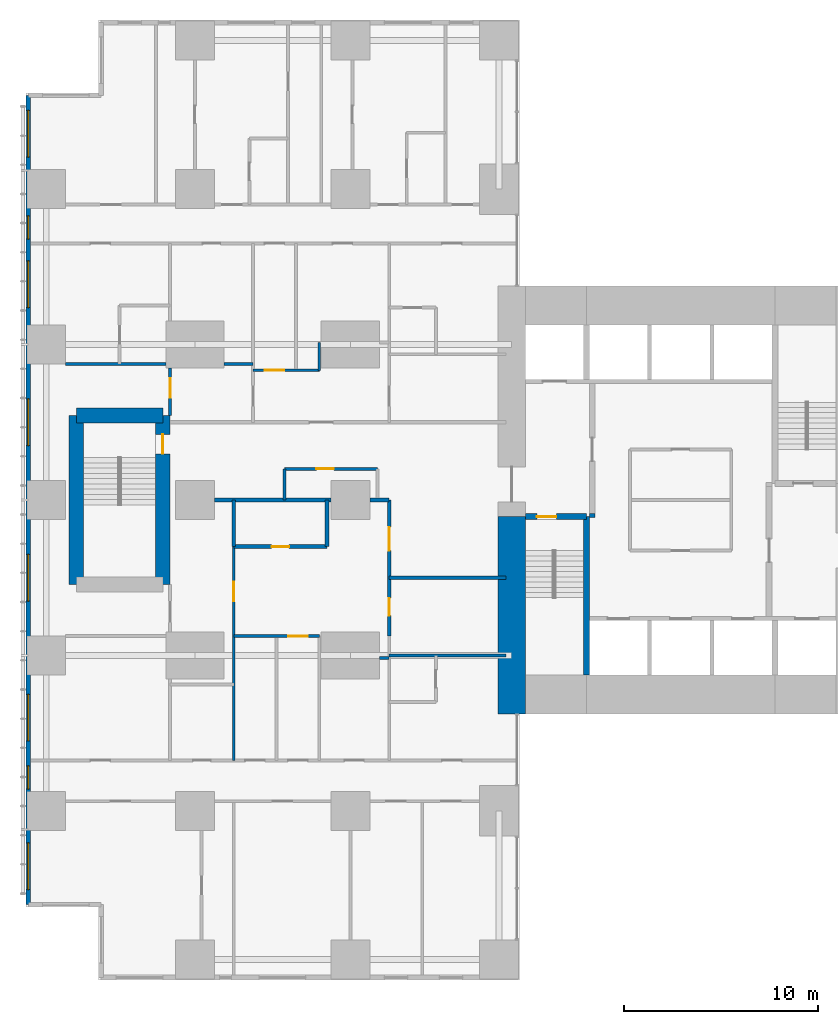
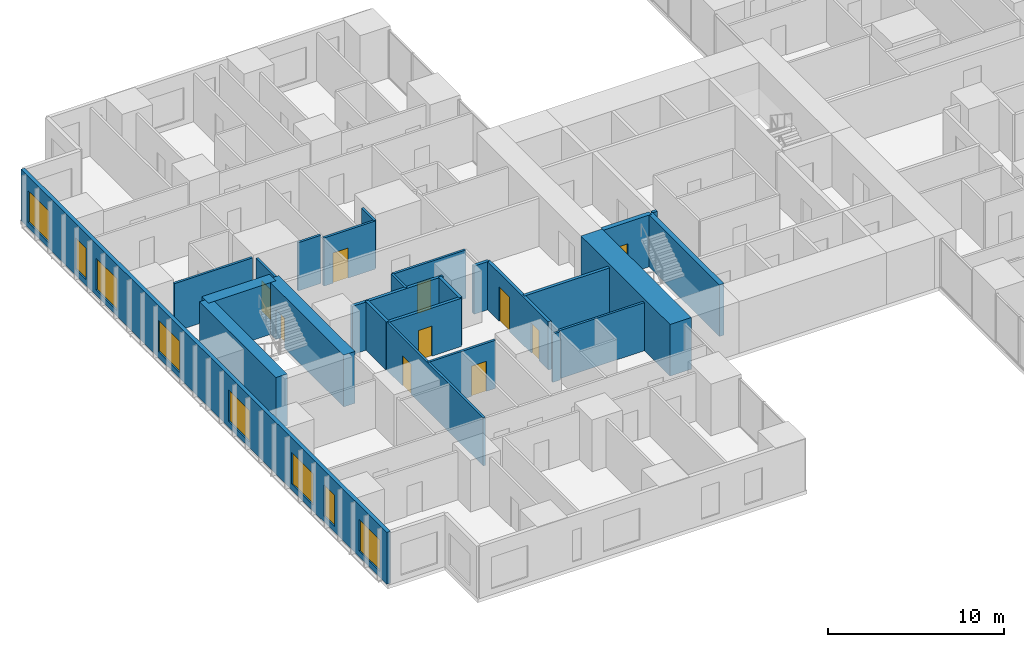
# One storey, part 13 of 21: 26 walls, 10 doors, 8 windows, 18 openings.
"""IFC4 building model written with IfcOpenShell, lengths in metres."""

from ifc_helpers import new_model, si_unit, direction, frame, frame_2d, origin, place, context, subcontext, project, spatial, rectangle, extrude, material, layer, layer_set, type_object, element, fill, save


model = new_model("IFC4")

# Units and contexts
model_context = context("Model", 3, precision=1e-05, world=origin(), true_north=direction((0.0, 1.0)))
body_context = subcontext(model_context, "Body", "Model", "MODEL_VIEW")
ifc_project = project(units=[si_unit("LENGTHUNIT", "METRE"), si_unit("AREAUNIT", "SQUARE_METRE"), si_unit("VOLUMEUNIT", "CUBIC_METRE"), si_unit("PLANEANGLEUNIT", "RADIAN"), si_unit("MASSUNIT", "GRAM", prefix="KILO")], contexts=[model_context])

# Site, building, storey
site_placement = place(None, origin())
site = spatial("IfcSite", under=ifc_project, at=site_placement, CompositionType="ELEMENT")
building_placement = place(site_placement, origin())
building = spatial("IfcBuilding", under=site, at=building_placement, Name="Cleftline Residences", CompositionType="ELEMENT")
storey_placement = place(building_placement, frame((0.0, 0.0, 128.60009765625)))
storey = spatial("IfcBuildingStorey", under=building, at=storey_placement, Name="L33", CompositionType="ELEMENT", Elevation=128.60009765625)

# Walls
ifc_material_1 = material(Name="Concrete B70", Category="concrete")
ifc_layer_1 = layer(ifc_material_1, 1.39990234375)
ifc_layer_set_1 = layer_set([ifc_layer_1], Name="CORE WALL 1400")
wall_type_1 = type_object("IfcWallType", Name="CORE WALL 1400", PredefinedType="SHEAR", material=ifc_layer_set_1)
wall_1_placement = place(storey_placement, frame((24.300048828125, 13.0, 0.0), z_axis=(0.0, 0.0, 1.0), x_axis=(0.0, 1.0, 0.0)))
element("IfcWall", 1, at=wall_1_placement, inside=storey, type_object=wall_type_1, Name="Core wall W0", PredefinedType="SHEAR", context=body_context, shape_type="SweptSolid", body=[
    extrude(rectangle(XDim=10.14990234375, YDim=1.39990234375, at=frame_2d((5.074951171875, 0.0))), origin(), (0.0, 0.0, 1.0), 3.599853515625),
])
ifc_material_2 = material(Name="Concrete B70", Category="concrete")
ifc_layer_2 = layer(ifc_material_2, 0.300048828125)
ifc_layer_set_2 = layer_set([ifc_layer_2], Name="CORE WALL 300")
wall_type_2 = type_object("IfcWallType", Name="CORE WALL 300", PredefinedType="SHEAR", material=ifc_layer_set_2)
wall_2_placement = place(storey_placement, frame((28.14990234375, 15.0, 0.0), z_axis=(0.0, 0.0, 1.0), x_axis=(0.0, 1.0, 0.0)))
element("IfcWall", 2, at=wall_2_placement, inside=storey, type_object=wall_type_2, Name="Core wall SA-E", PredefinedType="SHEAR", context=body_context, shape_type="SweptSolid", body=[
    extrude(rectangle(XDim=8.14990234375, YDim=0.300048828125, at=frame_2d((4.074951171875, 0.0))), origin(), (0.0, 0.0, 1.0), 3.599853515625),
])

# Wall, opening, door
wall_3_placement = place(storey_placement, frame((25.0, 23.14990234375, 0.0), z_axis=(0.0, 0.0, 1.0), x_axis=(1.0, 0.0, 0.0)))
wall_3 = element("IfcWall", 3, at=wall_3_placement, inside=storey, type_object=wall_type_2, Name="Core wall SA-N", PredefinedType="SHEAR", context=body_context, shape_type="SweptSolid", body=[
    extrude(rectangle(XDim=3.14990234375, YDim=0.300048828125, at=frame_2d((1.574951171875, 0.0))), origin(), (0.0, 0.0, 1.0), 3.599853515625),
])
opening_1_placement = place(wall_3_placement, frame((0.60009765625, 0.0, 0.0)))
opening_1 = element("IfcOpeningElement", 4, at=opening_1_placement, cuts=wall_3, Name="Opening D5", PredefinedType="OPENING", context=body_context, shape_type="SweptSolid", body=[
    extrude(rectangle(XDim=1.0, YDim=2.10009765625, at=frame_2d((0.5, 1.050048828125))), frame((0.0, 0.159912109375, 0.0), z_axis=(0.0, -1.0, 0.0), x_axis=(1.0, 0.0, 0.0)), (0.0, 0.0, 1.0), 0.320068359375),
])
ifc_material_3 = material(Name="Steel", Category="steel")
door_type_1 = type_object("IfcDoorType", Name="STAIR DOOR 1000X2100", OperationType="SINGLE_SWING_LEFT", PredefinedType="DOOR", material=ifc_material_3)
door_1_placement = place(opening_1_placement, origin())
door_1 = element("IfcDoor", 5, at=door_1_placement, inside=storey, type_object=door_type_1, Name="Stair A door", OperationType="SINGLE_SWING_RIGHT", OverallHeight=2.10009765625, OverallWidth=1.0, PredefinedType="DOOR", context=body_context, shape_type="SweptSolid", body=[
    extrude(rectangle(XDim=1.0, YDim=2.10009765625, at=frame_2d((0.5, 1.050048828125))), frame((0.0, 0.02490234375, 0.0), z_axis=(0.0, -1.0, 0.0), x_axis=(1.0, 0.0, 0.0)), (0.0, 0.0, 1.0), 0.050048828125),
])
fill(opening_1, door_1)

# Wall, openings, windows
ifc_material_4 = material(Name="Rendered reinforced concrete blockwork", Category="masonry")
ifc_layer_3 = layer(ifc_material_4, 0.25)
ifc_layer_set_3 = layer_set([ifc_layer_3], Name="EXTERNAL WALL 250")
wall_type_3 = type_object("IfcWallType", Name="EXTERNAL WALL 250", PredefinedType="SOLIDWALL", material=ifc_layer_set_3)
wall_4_placement = place(storey_placement, frame((-0.574951171875, 44.824951171875, 0.0), z_axis=(0.0, 0.0, 1.0), x_axis=(0.0, -1.0, 0.0)))
wall_4 = element("IfcWall", 6, at=wall_4_placement, inside=storey, type_object=wall_type_3, Name="External wall", PredefinedType="SOLIDWALL", context=body_context, shape_type="SweptSolid", body=[
    extrude(rectangle(XDim=41.64990234375, YDim=0.25, at=frame_2d((20.824951171875, 0.0))), origin(), (0.0, 0.0, 1.0), 3.599853515625),
])
opening_2_placement = place(wall_4_placement, frame((0.77490234375, 0.0, 0.39990234375)))
opening_2 = element("IfcOpeningElement", 7, at=opening_2_placement, cuts=wall_4, Name="Opening W12", PredefinedType="OPENING", context=body_context, shape_type="SweptSolid", body=[
    extrude(rectangle(XDim=2.39990234375, YDim=2.199951171875, at=frame_2d((1.199951171875, 1.10009765625))), frame((0.0, 0.135009765625, 0.0), z_axis=(0.0, -1.0, 0.0), x_axis=(1.0, 0.0, 0.0)), (0.0, 0.0, 1.0), 0.27001953125),
])
opening_3_placement = place(wall_4_placement, frame((6.199951171875, 0.0, 0.39990234375)))
opening_3 = element("IfcOpeningElement", 8, at=opening_3_placement, cuts=wall_4, Name="Opening W11", PredefinedType="OPENING", context=body_context, shape_type="SweptSolid", body=[
    extrude(rectangle(XDim=1.199951171875, YDim=2.199951171875, at=frame_2d((0.60009765625, 1.10009765625))), frame((0.0, 0.135009765625, 0.0), z_axis=(0.0, -1.0, 0.0), x_axis=(1.0, 0.0, 0.0)), (0.0, 0.0, 1.0), 0.27001953125),
])
opening_4_placement = place(wall_4_placement, frame((8.52490234375, 0.0, 0.39990234375)))
opening_4 = element("IfcOpeningElement", 9, at=opening_4_placement, cuts=wall_4, Name="Opening W12", PredefinedType="OPENING", context=body_context, shape_type="SweptSolid", body=[
    extrude(rectangle(XDim=2.39990234375, YDim=2.199951171875, at=frame_2d((1.199951171875, 1.10009765625))), frame((0.0, 0.135009765625, 0.0), z_axis=(0.0, -1.0, 0.0), x_axis=(1.0, 0.0, 0.0)), (0.0, 0.0, 1.0), 0.27001953125),
])
opening_5_placement = place(wall_4_placement, frame((15.625, 0.0, 0.39990234375)))
opening_5 = element("IfcOpeningElement", 10, at=opening_5_placement, cuts=wall_4, Name="Opening W12", PredefinedType="OPENING", context=body_context, shape_type="SweptSolid", body=[
    extrude(rectangle(XDim=2.39990234375, YDim=2.199951171875, at=frame_2d((1.199951171875, 1.10009765625))), frame((0.0, 0.135009765625, 0.0), z_axis=(0.0, -1.0, 0.0), x_axis=(1.0, 0.0, 0.0)), (0.0, 0.0, 1.0), 0.27001953125),
])
opening_6_placement = place(wall_4_placement, frame((23.625, 0.0, 0.39990234375)))
opening_6 = element("IfcOpeningElement", 11, at=opening_6_placement, cuts=wall_4, Name="Opening W12", PredefinedType="OPENING", context=body_context, shape_type="SweptSolid", body=[
    extrude(rectangle(XDim=2.39990234375, YDim=2.199951171875, at=frame_2d((1.199951171875, 1.10009765625))), frame((0.0, 0.135009765625, 0.0), z_axis=(0.0, -1.0, 0.0), x_axis=(1.0, 0.0, 0.0)), (0.0, 0.0, 1.0), 0.27001953125),
])
opening_7_placement = place(wall_4_placement, frame((30.824951171875, 0.0, 0.39990234375)))
opening_7 = element("IfcOpeningElement", 12, at=opening_7_placement, cuts=wall_4, Name="Opening W12", PredefinedType="OPENING", context=body_context, shape_type="SweptSolid", body=[
    extrude(rectangle(XDim=2.39990234375, YDim=2.199951171875, at=frame_2d((1.199951171875, 1.10009765625))), frame((0.0, 0.135009765625, 0.0), z_axis=(0.0, -1.0, 0.0), x_axis=(1.0, 0.0, 0.0)), (0.0, 0.0, 1.0), 0.27001953125),
])
opening_8_placement = place(wall_4_placement, frame((34.5, 0.0, 0.39990234375)))
opening_8 = element("IfcOpeningElement", 13, at=opening_8_placement, cuts=wall_4, Name="Opening W11", PredefinedType="OPENING", context=body_context, shape_type="SweptSolid", body=[
    extrude(rectangle(XDim=1.199951171875, YDim=2.199951171875, at=frame_2d((0.60009765625, 1.10009765625))), frame((0.0, 0.135009765625, 0.0), z_axis=(0.0, -1.0, 0.0), x_axis=(1.0, 0.0, 0.0)), (0.0, 0.0, 1.0), 0.27001953125),
])
opening_9_placement = place(wall_4_placement, frame((38.47509765625, 0.0, 0.39990234375)))
opening_9 = element("IfcOpeningElement", 14, at=opening_9_placement, cuts=wall_4, Name="Opening W12", PredefinedType="OPENING", context=body_context, shape_type="SweptSolid", body=[
    extrude(rectangle(XDim=2.39990234375, YDim=2.199951171875, at=frame_2d((1.199951171875, 1.10009765625))), frame((0.0, 0.135009765625, 0.0), z_axis=(0.0, -1.0, 0.0), x_axis=(1.0, 0.0, 0.0)), (0.0, 0.0, 1.0), 0.27001953125),
])
ifc_material_5 = material(Name="Aluminium frame, clear double glazing", Category="aluminium")
window_type_1 = type_object("IfcWindowType", Name="WINDOW 1200X2200", PartitioningType="DOUBLE_PANEL_VERTICAL", PredefinedType="WINDOW", material=ifc_material_5)
window_1_placement = place(opening_3_placement, origin())
window_1 = element("IfcWindow", 15, at=window_1_placement, inside=storey, type_object=window_type_1, Name="Window", OverallHeight=2.199951171875, OverallWidth=1.199951171875, PartitioningType="SINGLE_PANEL", PredefinedType="WINDOW", context=body_context, shape_type="SweptSolid", body=[
    extrude(rectangle(XDim=1.199951171875, YDim=2.199951171875, at=frame_2d((0.60009765625, 1.10009765625))), frame((0.0, 0.030029296875, 0.0), z_axis=(0.0, -1.0, 0.0), x_axis=(1.0, 0.0, 0.0)), (0.0, 0.0, 1.0), 0.06005859375),
])
fill(opening_3, window_1)
window_2_placement = place(opening_8_placement, origin())
window_2 = element("IfcWindow", 16, at=window_2_placement, inside=storey, type_object=window_type_1, Name="Window", OverallHeight=2.199951171875, OverallWidth=1.199951171875, PartitioningType="SINGLE_PANEL", PredefinedType="WINDOW", context=body_context, shape_type="SweptSolid", body=[
    extrude(rectangle(XDim=1.199951171875, YDim=2.199951171875, at=frame_2d((0.60009765625, 1.10009765625))), frame((0.0, 0.030029296875, 0.0), z_axis=(0.0, -1.0, 0.0), x_axis=(1.0, 0.0, 0.0)), (0.0, 0.0, 1.0), 0.06005859375),
])
fill(opening_8, window_2)
ifc_material_6 = material(Name="Aluminium frame, clear double glazing", Category="aluminium")
window_type_2 = type_object("IfcWindowType", Name="WINDOW 2400X2200", PartitioningType="DOUBLE_PANEL_VERTICAL", PredefinedType="WINDOW", material=ifc_material_6)
window_3_placement = place(opening_2_placement, origin())
window_3 = element("IfcWindow", 17, at=window_3_placement, inside=storey, type_object=window_type_2, Name="Window", OverallHeight=2.199951171875, OverallWidth=2.39990234375, PartitioningType="SINGLE_PANEL", PredefinedType="WINDOW", context=body_context, shape_type="SweptSolid", body=[
    extrude(rectangle(XDim=2.39990234375, YDim=2.199951171875, at=frame_2d((1.199951171875, 1.10009765625))), frame((0.0, 0.030029296875, 0.0), z_axis=(0.0, -1.0, 0.0), x_axis=(1.0, 0.0, 0.0)), (0.0, 0.0, 1.0), 0.06005859375),
])
fill(opening_2, window_3)
window_4_placement = place(opening_4_placement, origin())
window_4 = element("IfcWindow", 18, at=window_4_placement, inside=storey, type_object=window_type_2, Name="Window", OverallHeight=2.199951171875, OverallWidth=2.39990234375, PartitioningType="SINGLE_PANEL", PredefinedType="WINDOW", context=body_context, shape_type="SweptSolid", body=[
    extrude(rectangle(XDim=2.39990234375, YDim=2.199951171875, at=frame_2d((1.199951171875, 1.10009765625))), frame((0.0, 0.030029296875, 0.0), z_axis=(0.0, -1.0, 0.0), x_axis=(1.0, 0.0, 0.0)), (0.0, 0.0, 1.0), 0.06005859375),
])
fill(opening_4, window_4)
window_5_placement = place(opening_5_placement, origin())
window_5 = element("IfcWindow", 19, at=window_5_placement, inside=storey, type_object=window_type_2, Name="Window", OverallHeight=2.199951171875, OverallWidth=2.39990234375, PartitioningType="SINGLE_PANEL", PredefinedType="WINDOW", context=body_context, shape_type="SweptSolid", body=[
    extrude(rectangle(XDim=2.39990234375, YDim=2.199951171875, at=frame_2d((1.199951171875, 1.10009765625))), frame((0.0, 0.030029296875, 0.0), z_axis=(0.0, -1.0, 0.0), x_axis=(1.0, 0.0, 0.0)), (0.0, 0.0, 1.0), 0.06005859375),
])
fill(opening_5, window_5)
window_6_placement = place(opening_6_placement, origin())
window_6 = element("IfcWindow", 20, at=window_6_placement, inside=storey, type_object=window_type_2, Name="Window", OverallHeight=2.199951171875, OverallWidth=2.39990234375, PartitioningType="SINGLE_PANEL", PredefinedType="WINDOW", context=body_context, shape_type="SweptSolid", body=[
    extrude(rectangle(XDim=2.39990234375, YDim=2.199951171875, at=frame_2d((1.199951171875, 1.10009765625))), frame((0.0, 0.030029296875, 0.0), z_axis=(0.0, -1.0, 0.0), x_axis=(1.0, 0.0, 0.0)), (0.0, 0.0, 1.0), 0.06005859375),
])
fill(opening_6, window_6)
window_7_placement = place(opening_7_placement, origin())
window_7 = element("IfcWindow", 21, at=window_7_placement, inside=storey, type_object=window_type_2, Name="Window", OverallHeight=2.199951171875, OverallWidth=2.39990234375, PartitioningType="SINGLE_PANEL", PredefinedType="WINDOW", context=body_context, shape_type="SweptSolid", body=[
    extrude(rectangle(XDim=2.39990234375, YDim=2.199951171875, at=frame_2d((1.199951171875, 1.10009765625))), frame((0.0, 0.030029296875, 0.0), z_axis=(0.0, -1.0, 0.0), x_axis=(1.0, 0.0, 0.0)), (0.0, 0.0, 1.0), 0.06005859375),
])
fill(opening_7, window_7)
window_8_placement = place(opening_9_placement, origin())
window_8 = element("IfcWindow", 22, at=window_8_placement, inside=storey, type_object=window_type_2, Name="Window", OverallHeight=2.199951171875, OverallWidth=2.39990234375, PartitioningType="SINGLE_PANEL", PredefinedType="WINDOW", context=body_context, shape_type="SweptSolid", body=[
    extrude(rectangle(XDim=2.39990234375, YDim=2.199951171875, at=frame_2d((1.199951171875, 1.10009765625))), frame((0.0, 0.030029296875, 0.0), z_axis=(0.0, -1.0, 0.0), x_axis=(1.0, 0.0, 0.0)), (0.0, 0.0, 1.0), 0.06005859375),
])
fill(opening_9, window_8)

# Wall
ifc_material_7 = material(Name="Concrete blockwork, fire rated", Category="masonry")
ifc_layer_4 = layer(ifc_material_7, 0.199951171875)
ifc_layer_set_4 = layer_set([ifc_layer_4], Name="FIRE WALL 200")
wall_type_4 = type_object("IfcWallType", Name="FIRE WALL 200", PredefinedType="PARTITIONING", material=ifc_layer_set_4)
wall_5_placement = place(storey_placement, frame((18.0, 20.0, 0.0), z_axis=(0.0, 0.0, 1.0), x_axis=(1.0, 0.0, 0.0)))
element("IfcWall", 23, at=wall_5_placement, inside=storey, type_object=wall_type_4, Name="Fire separating wall", PredefinedType="PARTITIONING", context=body_context, shape_type="SweptSolid", body=[
    extrude(rectangle(XDim=6.0, YDim=0.199951171875, at=frame_2d((3.0, 0.0))), origin(), (0.0, 0.0, 1.0), 3.349853515625),
])

# Wall, opening, door
wall_6_placement = place(storey_placement, frame((10.0, 21.60009765625, 0.0), z_axis=(0.0, 0.0, 1.0), x_axis=(1.0, 0.0, 0.0)))
wall_6 = element("IfcWall", 24, at=wall_6_placement, inside=storey, type_object=wall_type_4, Name="Fire separating wall", PredefinedType="PARTITIONING", context=body_context, shape_type="SweptSolid", body=[
    extrude(rectangle(XDim=4.800048828125, YDim=0.199951171875, at=frame_2d((2.39990234375, 0.0))), origin(), (0.0, 0.0, 1.0), 3.349853515625),
])
opening_10_placement = place(wall_6_placement, frame((1.949951171875, 0.0, 0.0)))
opening_10 = element("IfcOpeningElement", 25, at=opening_10_placement, cuts=wall_6, Name="Opening D1F30", PredefinedType="OPENING", context=body_context, shape_type="SweptSolid", body=[
    extrude(rectangle(XDim=0.89990234375, YDim=2.10009765625, at=frame_2d((0.449951171875, 1.050048828125))), frame((0.0, 0.10986328125, 0.0), z_axis=(0.0, -1.0, 0.0), x_axis=(1.0, 0.0, 0.0)), (0.0, 0.0, 1.0), 0.219970703125),
])
ifc_material_8 = material(Name="Timber veneer on solid core", Category="wood")
door_type_2 = type_object("IfcDoorType", Name="DOOR 900X2100 EI 30", OperationType="SINGLE_SWING_LEFT", PredefinedType="DOOR", material=ifc_material_8)
door_2_placement = place(opening_10_placement, origin())
door_2 = element("IfcDoor", 26, at=door_2_placement, inside=storey, type_object=door_type_2, Name="Door to cloakroom wc", OperationType="SINGLE_SWING_LEFT", OverallHeight=2.10009765625, OverallWidth=0.89990234375, PredefinedType="DOOR", context=body_context, shape_type="SweptSolid", body=[
    extrude(rectangle(XDim=0.89990234375, YDim=2.10009765625, at=frame_2d((0.449951171875, 1.050048828125))), frame((0.0, 0.02490234375, 0.0), z_axis=(0.0, -1.0, 0.0), x_axis=(1.0, 0.0, 0.0)), (0.0, 0.0, 1.0), 0.050048828125),
])
fill(opening_10, door_2)

# Walls
wall_7_placement = place(storey_placement, frame((9.0, 24.0, 0.0), z_axis=(0.0, 0.0, 1.0), x_axis=(1.0, 0.0, 0.0)))
element("IfcWall", 27, at=wall_7_placement, inside=storey, type_object=wall_type_4, Name="Fire separating wall", PredefinedType="PARTITIONING", context=body_context, shape_type="SweptSolid", body=[
    extrude(rectangle(XDim=6.0, YDim=0.199951171875, at=frame_2d((3.0, 0.0))), origin(), (0.0, 0.0, 1.0), 3.349853515625),
])
wall_8_placement = place(storey_placement, frame((17.0, 24.0, 0.0), z_axis=(0.0, 0.0, 1.0), x_axis=(1.0, 0.0, 0.0)))
element("IfcWall", 28, at=wall_8_placement, inside=storey, type_object=wall_type_4, Name="Fire separating wall", PredefinedType="PARTITIONING", context=body_context, shape_type="SweptSolid", body=[
    extrude(rectangle(XDim=1.0, YDim=0.199951171875, at=frame_2d((0.5, 0.0))), origin(), (0.0, 0.0, 1.0), 3.349853515625),
])
for number, where, z_axis, x_axis, name in (
    (29, (10.0, 21.60009765625, 0.0), (0.0, 0.0, 1.0), (0.0, 1.0, 0.0), "Fire separating wall"),
    (30, (14.800048828125, 21.60009765625, 0.0), (0.0, 0.0, 1.0), (0.0, 1.0, 0.0), "Fire separating wall"),
):
    element("IfcWall", number, at=place(storey_placement, frame(where, z_axis=z_axis, x_axis=x_axis)), inside=storey, type_object=wall_type_4, Name=name, PredefinedType="PARTITIONING", context=body_context, shape_type="SweptSolid", body=[
        extrude(rectangle(XDim=2.39990234375, YDim=0.199951171875, at=frame_2d((1.199951171875, 0.0))), origin(), (0.0, 0.0, 1.0), 3.349853515625),
    ])

# Wall, openings, doors
wall_9_placement = place(storey_placement, frame((18.0, 17.0, 0.0), z_axis=(0.0, 0.0, 1.0), x_axis=(0.0, 1.0, 0.0)))
wall_9 = element("IfcWall", 31, at=wall_9_placement, inside=storey, type_object=wall_type_4, Name="Fire separating wall", PredefinedType="PARTITIONING", context=body_context, shape_type="SweptSolid", body=[
    extrude(rectangle(XDim=7.0, YDim=0.199951171875, at=frame_2d((3.5, 0.0))), origin(), (0.0, 0.0, 1.0), 3.349853515625),
])
opening_11_placement = place(wall_9_placement, frame((4.39990234375, 0.0, 0.0)))
opening_11 = element("IfcOpeningElement", 32, at=opening_11_placement, cuts=wall_9, Name="Opening D4", PredefinedType="OPENING", context=body_context, shape_type="SweptSolid", body=[
    extrude(rectangle(XDim=1.199951171875, YDim=2.39990234375, at=frame_2d((0.60009765625, 1.199951171875))), frame((0.0, 0.10986328125, 0.0), z_axis=(0.0, -1.0, 0.0), x_axis=(1.0, 0.0, 0.0)), (0.0, 0.0, 1.0), 0.219970703125),
])
opening_12_placement = place(wall_9_placement, frame((1.050048828125, 0.0, 0.0)))
opening_12 = element("IfcOpeningElement", 33, at=opening_12_placement, cuts=wall_9, Name="Opening D1F30", PredefinedType="OPENING", context=body_context, shape_type="SweptSolid", body=[
    extrude(rectangle(XDim=0.89990234375, YDim=2.10009765625, at=frame_2d((0.449951171875, 1.050048828125))), frame((0.0, 0.10986328125, 0.0), z_axis=(0.0, -1.0, 0.0), x_axis=(1.0, 0.0, 0.0)), (0.0, 0.0, 1.0), 0.219970703125),
])
ifc_material_9 = material(Name="Timber veneer on solid core", Category="wood")
door_type_3 = type_object("IfcDoorType", Name="APARTMENT ENTRANCE DOOR 1200X2400", OperationType="SINGLE_SWING_RIGHT", PredefinedType="DOOR", material=ifc_material_9)
door_3_placement = place(opening_11_placement, origin())
door_3 = element("IfcDoor", 34, at=door_3_placement, inside=storey, type_object=door_type_3, Name="Door to residence entrance foyer", OperationType="SINGLE_SWING_LEFT", OverallHeight=2.39990234375, OverallWidth=1.199951171875, PredefinedType="DOOR", context=body_context, shape_type="SweptSolid", body=[
    extrude(rectangle(XDim=1.199951171875, YDim=2.39990234375, at=frame_2d((0.60009765625, 1.199951171875))), frame((0.0, 0.02490234375, 0.0), z_axis=(0.0, -1.0, 0.0), x_axis=(1.0, 0.0, 0.0)), (0.0, 0.0, 1.0), 0.050048828125),
])
fill(opening_11, door_3)
door_4_placement = place(opening_12_placement, origin())
door_4 = element("IfcDoor", 35, at=door_4_placement, inside=storey, type_object=door_type_2, Name="Door to laundry", OperationType="SINGLE_SWING_RIGHT", OverallHeight=2.10009765625, OverallWidth=0.89990234375, PredefinedType="DOOR", context=body_context, shape_type="SweptSolid", body=[
    extrude(rectangle(XDim=0.89990234375, YDim=2.10009765625, at=frame_2d((0.449951171875, 1.050048828125))), frame((0.0, 0.02490234375, 0.0), z_axis=(0.0, -1.0, 0.0), x_axis=(1.0, 0.0, 0.0)), (0.0, 0.0, 1.0), 0.050048828125),
])
fill(opening_12, door_4)

# Walls
wall_10_placement = place(storey_placement, frame((28.300048828125, 23.199951171875, 0.0), z_axis=(0.0, 0.0, 1.0), x_axis=(1.0, 0.0, 0.0)))
element("IfcWall", 36, at=wall_10_placement, inside=storey, type_object=wall_type_4, Name="Fire separating wall", PredefinedType="PARTITIONING", context=body_context, shape_type="SweptSolid", body=[
    extrude(rectangle(XDim=0.300048828125, YDim=0.199951171875, at=frame_2d((0.14990234375, 0.0))), origin(), (0.0, 0.0, 1.0), 3.599853515625),
])
ifc_material_10 = material(Name="Gypsum board on steel studs", Category="steel")
ifc_layer_5 = layer(ifc_material_10, 0.14990234375)
ifc_layer_set_5 = layer_set([ifc_layer_5], Name="PARTITION 150")
wall_type_5 = type_object("IfcWallType", Name="PARTITION 150", PredefinedType="PARTITIONING", material=ifc_layer_set_5)
wall_11_placement = place(storey_placement, frame((17.5, 15.875, 0.0), z_axis=(0.0, 0.0, 1.0), x_axis=(1.0, 0.0, 0.0)))
element("IfcWall", 37, at=wall_11_placement, inside=storey, type_object=wall_type_5, Name="Partition", PredefinedType="PARTITIONING", context=body_context, shape_type="SweptSolid", body=[
    extrude(rectangle(XDim=0.5, YDim=0.14990234375, at=frame_2d((0.25, 0.0))), origin(), (0.0, 0.0, 1.0), 3.349853515625),
])
wall_12_placement = place(storey_placement, frame((18.0, 16.0, 0.0), z_axis=(0.0, 0.0, 1.0), x_axis=(1.0, 0.0, 0.0)))
element("IfcWall", 38, at=wall_12_placement, inside=storey, type_object=wall_type_5, Name="Partition", PredefinedType="PARTITIONING", context=body_context, shape_type="SweptSolid", body=[
    extrude(rectangle(XDim=6.0, YDim=0.14990234375, at=frame_2d((3.0, 0.0))), origin(), (0.0, 0.0, 1.0), 3.349853515625),
])

# Wall, opening, door
wall_13_placement = place(storey_placement, frame((10.0, 17.0, 0.0), z_axis=(0.0, 0.0, 1.0), x_axis=(1.0, 0.0, 0.0)))
wall_13 = element("IfcWall", 39, at=wall_13_placement, inside=storey, type_object=wall_type_5, Name="Partition", PredefinedType="PARTITIONING", context=body_context, shape_type="SweptSolid", body=[
    extrude(rectangle(XDim=4.39990234375, YDim=0.14990234375, at=frame_2d((2.199951171875, 0.0))), origin(), (0.0, 0.0, 1.0), 3.349853515625),
])
opening_13_placement = place(wall_13_placement, frame((2.800048828125, 0.0, 0.0)))
opening_13 = element("IfcOpeningElement", 40, at=opening_13_placement, cuts=wall_13, Name="Opening D2", PredefinedType="OPENING", context=body_context, shape_type="SweptSolid", body=[
    extrude(rectangle(XDim=1.0, YDim=2.10009765625, at=frame_2d((0.5, 1.050048828125))), frame((0.0, 0.0849609375, 0.0), z_axis=(0.0, -1.0, 0.0), x_axis=(1.0, 0.0, 0.0)), (0.0, 0.0, 1.0), 0.169921875),
])
ifc_material_11 = material(Name="Timber veneer on solid core", Category="wood")
door_type_4 = type_object("IfcDoorType", Name="DOOR 1000X2100", OperationType="SINGLE_SWING_LEFT", PredefinedType="DOOR", material=ifc_material_11)
door_5_placement = place(opening_13_placement, origin())
door_5 = element("IfcDoor", 41, at=door_5_placement, inside=storey, type_object=door_type_4, Name="Door to residence passage", OperationType="SINGLE_SWING_LEFT", OverallHeight=2.10009765625, OverallWidth=1.0, PredefinedType="DOOR", context=body_context, shape_type="SweptSolid", body=[
    extrude(rectangle(XDim=1.0, YDim=2.10009765625, at=frame_2d((0.5, 1.050048828125))), frame((0.0, 0.02490234375, 0.0), z_axis=(0.0, -1.0, 0.0), x_axis=(1.0, 0.0, 0.0)), (0.0, 0.0, 1.0), 0.050048828125),
])
fill(opening_13, door_5)

wall_14_placement = place(storey_placement, frame((12.60009765625, 25.60009765625, 0.0), z_axis=(0.0, 0.0, 1.0), x_axis=(1.0, 0.0, 0.0)))
wall_14 = element("IfcWall", 42, at=wall_14_placement, inside=storey, type_object=wall_type_5, Name="Partition", PredefinedType="PARTITIONING", context=body_context, shape_type="SweptSolid", body=[
    extrude(rectangle(XDim=4.7998046875, YDim=0.14990234375, at=frame_2d((2.39990234375, 0.0))), origin(), (0.0, 0.0, 1.0), 3.349853515625),
])
opening_14_placement = place(wall_14_placement, frame((1.64990234375, 0.0, 0.0)))
opening_14 = element("IfcOpeningElement", 43, at=opening_14_placement, cuts=wall_14, Name="Opening D1", PredefinedType="OPENING", context=body_context, shape_type="SweptSolid", body=[
    extrude(rectangle(XDim=0.89990234375, YDim=2.10009765625, at=frame_2d((0.449951171875, 1.050048828125))), frame((0.0, 0.0849609375, 0.0), z_axis=(0.0, -1.0, 0.0), x_axis=(1.0, 0.0, 0.0)), (0.0, 0.0, 1.0), 0.169921875),
])
ifc_material_12 = material(Name="Timber veneer on solid core", Category="wood")
door_type_5 = type_object("IfcDoorType", Name="DOOR 900X2100", OperationType="SINGLE_SWING_LEFT", PredefinedType="DOOR", material=ifc_material_12)
door_6_placement = place(opening_14_placement, origin())
door_6 = element("IfcDoor", 44, at=door_6_placement, inside=storey, type_object=door_type_5, Name="Door to bulky waste room", OperationType="SINGLE_SWING_RIGHT", OverallHeight=2.10009765625, OverallWidth=0.89990234375, PredefinedType="DOOR", context=body_context, shape_type="SweptSolid", body=[
    extrude(rectangle(XDim=0.89990234375, YDim=2.10009765625, at=frame_2d((0.449951171875, 1.050048828125))), frame((0.0, 0.02490234375, 0.0), z_axis=(0.0, -1.0, 0.0), x_axis=(1.0, 0.0, 0.0)), (0.0, 0.0, 1.0), 0.050048828125),
])
fill(opening_14, door_6)

wall_15_placement = place(storey_placement, frame((11.0, 30.675048828125, 0.0), z_axis=(0.0, 0.0, 1.0), x_axis=(1.0, 0.0, 0.0)))
wall_15 = element("IfcWall", 45, at=wall_15_placement, inside=storey, type_object=wall_type_5, Name="Partition", PredefinedType="PARTITIONING", context=body_context, shape_type="SweptSolid", body=[
    extrude(rectangle(XDim=3.39990234375, YDim=0.14990234375, at=frame_2d((1.699951171875, 0.0))), origin(), (0.0, 0.0, 1.0), 3.349853515625),
])
opening_15_placement = place(wall_15_placement, frame((0.60009765625, 0.0, 0.0)))
opening_15 = element("IfcOpeningElement", 46, at=opening_15_placement, cuts=wall_15, Name="Opening D2", PredefinedType="OPENING", context=body_context, shape_type="SweptSolid", body=[
    extrude(rectangle(XDim=1.0, YDim=2.10009765625, at=frame_2d((0.5, 1.050048828125))), frame((0.0, 0.0849609375, 0.0), z_axis=(0.0, -1.0, 0.0), x_axis=(1.0, 0.0, 0.0)), (0.0, 0.0, 1.0), 0.169921875),
])
door_7_placement = place(opening_15_placement, origin())
door_7 = element("IfcDoor", 47, at=door_7_placement, inside=storey, type_object=door_type_4, Name="Door to residence passage", OperationType="SINGLE_SWING_RIGHT", OverallHeight=2.10009765625, OverallWidth=1.0, PredefinedType="DOOR", context=body_context, shape_type="SweptSolid", body=[
    extrude(rectangle(XDim=1.0, YDim=2.10009765625, at=frame_2d((0.5, 1.050048828125))), frame((0.0, 0.02490234375, 0.0), z_axis=(0.0, -1.0, 0.0), x_axis=(1.0, 0.0, 0.0)), (0.0, 0.0, 1.0), 0.050048828125),
])
fill(opening_15, door_7)

# Walls
wall_16_placement = place(storey_placement, frame((1.35009765625, 31.0, 0.0), z_axis=(0.0, 0.0, 1.0), x_axis=(1.0, 0.0, 0.0)))
element("IfcWall", 48, at=wall_16_placement, inside=storey, type_object=wall_type_5, Name="Partition", PredefinedType="PARTITIONING", context=body_context, shape_type="SweptSolid", body=[
    extrude(rectangle(XDim=5.14990234375, YDim=0.14990234375, at=frame_2d((2.574951171875, 0.0))), origin(), (0.0, 0.0, 1.0), 3.349853515625),
])
wall_17_placement = place(storey_placement, frame((9.5, 31.0, 0.0), z_axis=(0.0, 0.0, 1.0), x_axis=(1.0, 0.0, 0.0)))
element("IfcWall", 49, at=wall_17_placement, inside=storey, type_object=wall_type_5, Name="Partition", PredefinedType="PARTITIONING", context=body_context, shape_type="SweptSolid", body=[
    extrude(rectangle(XDim=1.5, YDim=0.14990234375, at=frame_2d((0.75, 0.0))), origin(), (0.0, 0.0, 1.0), 3.349853515625),
])

# Wall, opening, door
wall_18_placement = place(storey_placement, frame((6.72509765625, 28.35009765625, 0.0), z_axis=(0.0, 0.0, 1.0), x_axis=(0.0, 1.0, 0.0)))
wall_18 = element("IfcWall", 50, at=wall_18_placement, inside=storey, type_object=wall_type_5, Name="Partition", PredefinedType="PARTITIONING", context=body_context, shape_type="SweptSolid", body=[
    extrude(rectangle(XDim=2.449951171875, YDim=0.14990234375, at=frame_2d((1.22509765625, 0.0))), origin(), (0.0, 0.0, 1.0), 3.349853515625),
])
opening_16_placement = place(wall_18_placement, frame((0.91259765625, 0.0, 0.0)))
opening_16 = element("IfcOpeningElement", 51, at=opening_16_placement, cuts=wall_18, Name="Opening D2", PredefinedType="OPENING", context=body_context, shape_type="SweptSolid", body=[
    extrude(rectangle(XDim=1.0, YDim=2.10009765625, at=frame_2d((0.5, 1.050048828125))), frame((0.0, 0.0849609375, 0.0), z_axis=(0.0, -1.0, 0.0), x_axis=(1.0, 0.0, 0.0)), (0.0, 0.0, 1.0), 0.169921875),
])
door_8_placement = place(opening_16_placement, origin())
door_8 = element("IfcDoor", 52, at=door_8_placement, inside=storey, type_object=door_type_4, Name="Door to altar room", OperationType="SINGLE_SWING_LEFT", OverallHeight=2.10009765625, OverallWidth=1.0, PredefinedType="DOOR", context=body_context, shape_type="SweptSolid", body=[
    extrude(rectangle(XDim=1.0, YDim=2.10009765625, at=frame_2d((0.5, 1.050048828125))), frame((0.0, 0.02490234375, 0.0), z_axis=(0.0, -1.0, 0.0), x_axis=(1.0, 0.0, 0.0)), (0.0, 0.0, 1.0), 0.050048828125),
])
fill(opening_16, door_8)

wall_19_placement = place(storey_placement, frame((10.0, 10.60009765625, 0.0), z_axis=(0.0, 0.0, 1.0), x_axis=(0.0, 1.0, 0.0)))
wall_19 = element("IfcWall", 53, at=wall_19_placement, inside=storey, type_object=wall_type_5, Name="Partition", PredefinedType="PARTITIONING", context=body_context, shape_type="SweptSolid", body=[
    extrude(rectangle(XDim=11.0, YDim=0.14990234375, at=frame_2d((5.5, 0.0))), origin(), (0.0, 0.0, 1.0), 3.349853515625),
])
opening_17_placement = place(wall_19_placement, frame((8.199951171875, 0.0, 0.0)))
opening_17 = element("IfcOpeningElement", 54, at=opening_17_placement, cuts=wall_19, Name="Opening D2F30", PredefinedType="OPENING", context=body_context, shape_type="SweptSolid", body=[
    extrude(rectangle(XDim=1.0, YDim=2.10009765625, at=frame_2d((0.5, 1.050048828125))), frame((0.0, 0.0849609375, 0.0), z_axis=(0.0, -1.0, 0.0), x_axis=(1.0, 0.0, 0.0)), (0.0, 0.0, 1.0), 0.169921875),
])
ifc_material_13 = material(Name="Timber veneer on solid core", Category="wood")
door_type_6 = type_object("IfcDoorType", Name="DOOR 1000X2100 EI 30", OperationType="SINGLE_SWING_LEFT", PredefinedType="DOOR", material=ifc_material_13)
door_9_placement = place(opening_17_placement, origin())
door_9 = element("IfcDoor", 55, at=door_9_placement, inside=storey, type_object=door_type_6, Name="Door to residence lobby", OperationType="SINGLE_SWING_LEFT", OverallHeight=2.10009765625, OverallWidth=1.0, PredefinedType="DOOR", context=body_context, shape_type="SweptSolid", body=[
    extrude(rectangle(XDim=1.0, YDim=2.10009765625, at=frame_2d((0.5, 1.050048828125))), frame((0.0, 0.02490234375, 0.0), z_axis=(0.0, -1.0, 0.0), x_axis=(1.0, 0.0, 0.0)), (0.0, 0.0, 1.0), 0.050048828125),
])
fill(opening_17, door_9)

# Walls
wall_20_placement = place(storey_placement, frame((12.60009765625, 24.0, 0.0), z_axis=(0.0, 0.0, 1.0), x_axis=(0.0, 1.0, 0.0)))
element("IfcWall", 56, at=wall_20_placement, inside=storey, type_object=wall_type_5, Name="Partition", PredefinedType="PARTITIONING", context=body_context, shape_type="SweptSolid", body=[
    extrude(rectangle(XDim=1.60009765625, YDim=0.14990234375, at=frame_2d((0.800048828125, 0.0))), origin(), (0.0, 0.0, 1.0), 3.349853515625),
])
wall_21_placement = place(storey_placement, frame((14.39990234375, 30.675048828125, 0.0), z_axis=(0.0, 0.0, 1.0), x_axis=(0.0, 1.0, 0.0)))
element("IfcWall", 57, at=wall_21_placement, inside=storey, type_object=wall_type_5, Name="Partition", PredefinedType="PARTITIONING", context=body_context, shape_type="SweptSolid", body=[
    extrude(rectangle(XDim=1.425048828125, YDim=0.14990234375, at=frame_2d((0.71240234375, 0.0))), origin(), (0.0, 0.0, 1.0), 3.349853515625),
])

# Wall, opening, door
ifc_material_14 = material(Name="Concrete B70", Category="concrete")
ifc_layer_6 = layer(ifc_material_14, 0.75)
ifc_layer_set_6 = layer_set([ifc_layer_6], Name="SHEAR WALL 750")
wall_type_6 = type_object("IfcWallType", Name="SHEAR WALL 750", PredefinedType="SHEAR", material=ifc_layer_set_6)
wall_22_placement = place(storey_placement, frame((6.35009765625, 19.64990234375, 0.0), z_axis=(0.0, 0.0, 1.0), x_axis=(0.0, 1.0, 0.0)))
wall_22 = element("IfcWall", 58, at=wall_22_placement, inside=storey, type_object=wall_type_6, Name="Wing shear wall", PredefinedType="SHEAR", context=body_context, shape_type="SweptSolid", body=[
    extrude(rectangle(XDim=8.7001953125, YDim=0.75, at=frame_2d((4.35009765625, 0.0))), origin(), (0.0, 0.0, 1.0), 3.599853515625),
])
opening_18_placement = place(wall_22_placement, frame((6.72509765625, 0.0, 0.0)))
opening_18 = element("IfcOpeningElement", 59, at=opening_18_placement, cuts=wall_22, Name="Opening D5", PredefinedType="OPENING", context=body_context, shape_type="SweptSolid", body=[
    extrude(rectangle(XDim=1.0, YDim=2.10009765625, at=frame_2d((0.5, 1.050048828125))), frame((0.0, 0.385009765625, 0.0), z_axis=(0.0, -1.0, 0.0), x_axis=(1.0, 0.0, 0.0)), (0.0, 0.0, 1.0), 0.77001953125),
])
door_10_placement = place(opening_18_placement, origin())
door_10 = element("IfcDoor", 60, at=door_10_placement, inside=storey, type_object=door_type_1, Name="Stair W door", OperationType="SINGLE_SWING_LEFT", OverallHeight=2.10009765625, OverallWidth=1.0, PredefinedType="DOOR", context=body_context, shape_type="SweptSolid", body=[
    extrude(rectangle(XDim=1.0, YDim=2.10009765625, at=frame_2d((0.5, 1.050048828125))), frame((0.0, 0.02490234375, 0.0), z_axis=(0.0, -1.0, 0.0), x_axis=(1.0, 0.0, 0.0)), (0.0, 0.0, 1.0), 0.050048828125),
])
fill(opening_18, door_10)

# Walls
wall_23_placement = place(storey_placement, frame((6.35009765625, 28.35009765625, 0.0), z_axis=(0.0, 0.0, 1.0), x_axis=(-1.0, 0.0, 0.0)))
element("IfcWall", 61, at=wall_23_placement, inside=storey, type_object=wall_type_6, Name="Wing shear wall", PredefinedType="SHEAR", context=body_context, shape_type="SweptSolid", body=[
    extrude(rectangle(XDim=4.4501953125, YDim=0.75, at=frame_2d((2.22509765625, 0.0))), origin(), (0.0, 0.0, 1.0), 3.599853515625),
])
wall_24_placement = place(storey_placement, frame((1.89990234375, 28.35009765625, 0.0), z_axis=(0.0, 0.0, 1.0), x_axis=(0.0, -1.0, 0.0)))
element("IfcWall", 62, at=wall_24_placement, inside=storey, type_object=wall_type_6, Name="Wing shear wall", PredefinedType="SHEAR", context=body_context, shape_type="SweptSolid", body=[
    extrude(rectangle(XDim=8.7001953125, YDim=0.75, at=frame_2d((4.35009765625, 0.0))), origin(), (0.0, 0.0, 1.0), 3.599853515625),
])

save(model, "model.ifc")
